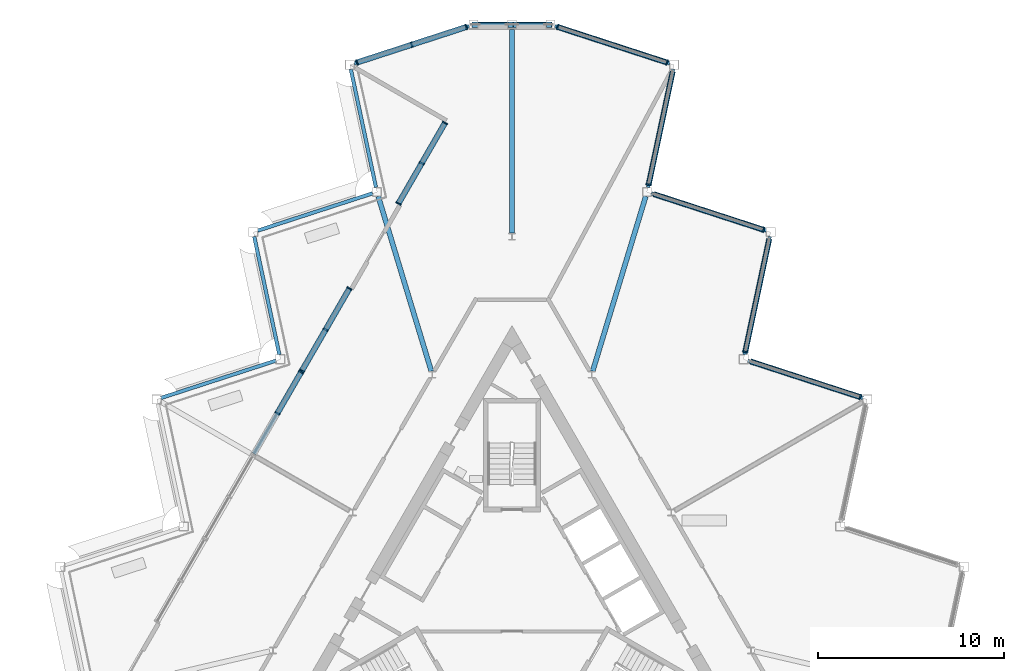
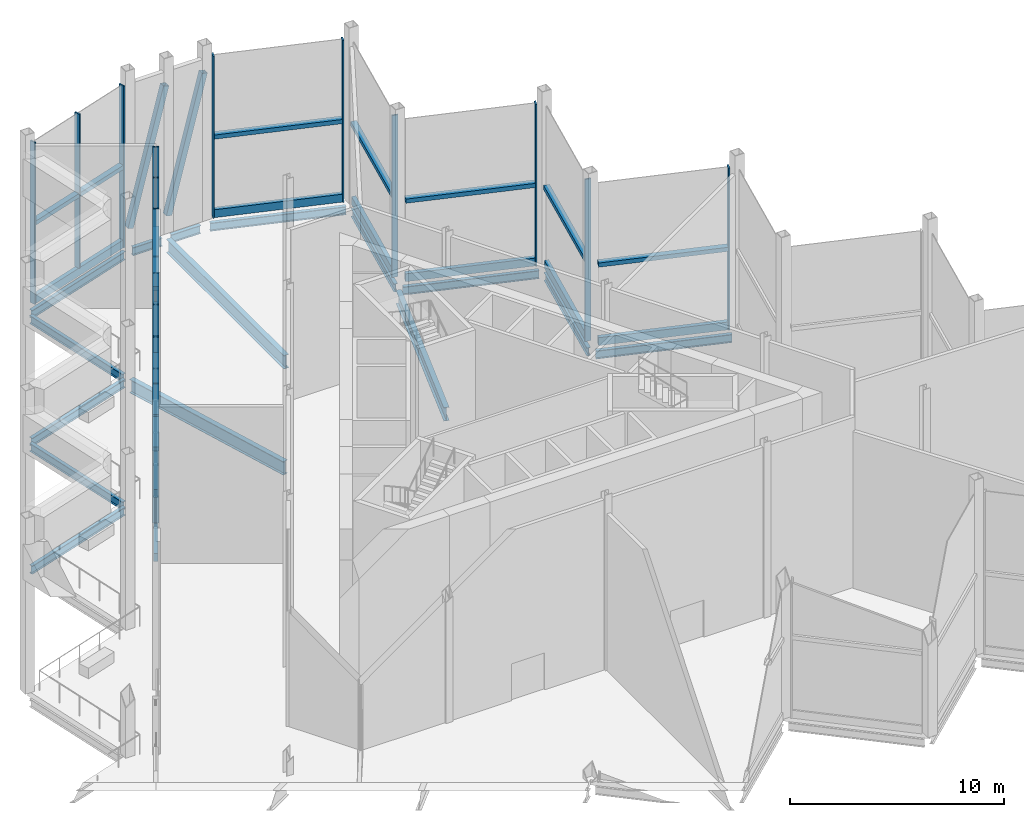
# One storey, part 6 of 18: 40 members, 15 beams, 5 elements without a shape of their own.
"""IFC4 building model written with IfcOpenShell, lengths in metres."""

from ifc_helpers import new_model, si_unit, direction, frame, origin, origin_2d, place, context, subcontext, project, spatial, rectangle, hollow_rectangle, i_section, extrude, material, layer, layer_set, material_profile, profile_set, type_object, element, aggregate, save


model = new_model("IFC4")

# Units and contexts
model_context = context("Model", 3, precision=1e-05, world=origin(), true_north=direction((0.0, 1.0)))
body_context = subcontext(model_context, "Body", "Model", "MODEL_VIEW")
ifc_project = project(units=[si_unit("LENGTHUNIT", "METRE"), si_unit("AREAUNIT", "SQUARE_METRE"), si_unit("VOLUMEUNIT", "CUBIC_METRE"), si_unit("PLANEANGLEUNIT", "RADIAN"), si_unit("MASSUNIT", "GRAM", prefix="KILO")], contexts=[model_context])

# Site, building, storey
site_placement = place(None, origin())
site = spatial("IfcSite", under=ifc_project, at=site_placement, CompositionType="ELEMENT")
building_placement = place(site_placement, origin())
building = spatial("IfcBuilding", under=site, at=building_placement, Name="Cormorant Prow Tower", CompositionType="ELEMENT")
storey_placement = place(building_placement, frame((0.0, 0.0, 405.199951171875)))
storey = spatial("IfcBuildingStorey", under=building, at=storey_placement, Name="L93", CompositionType="ELEMENT", Elevation=405.199951171875)

# Members
ifc_material_1 = material(Name="Structural steel ASTM A500 Gr C", Category="steel")
ifc_material_profile_1 = material_profile(ifc_material_1, hollow_rectangle(XDim=0.3046875, YDim=0.3046875, WallThickness=0.01171875, at=origin_2d()), Name="HSS12x12x1/2")
ifc_profile_set_1 = profile_set([ifc_material_profile_1], Name="Structural steel ASTM A500 Gr C")
member_type_1 = type_object("IfcMemberType", Name="Chamfer brace HSS12x12x1/2", PredefinedType="BRACE", material=ifc_profile_set_1)
for number, where, z_axis, x_axis, name in (
    (1, (0.074951171875, 31.219482421875, 0.890625), (0.249939412576, 0.0, 0.968261478136), (0.0, 1.0, 0.0), "Chamfer brace BR3 at N00 L93"),
    (2, (-1.998779296875, 31.219482421875, 0.890625), (0.249939412576, 0.0, 0.968261478136), (0.0, 1.0, 0.0), "Chamfer brace BR3 at N01 L93"),
):
    element("IfcMember", number, at=place(storey_placement, frame(where, z_axis=z_axis, x_axis=x_axis)), inside=storey, type_object=member_type_1, Name=name, PredefinedType="BRACE", context=body_context, shape_type="SweptSolid", body=[
        extrude(hollow_rectangle(XDim=0.3046875, YDim=0.3046875, WallThickness=0.01171875, at=origin_2d()), origin(), (0.0, 0.0, 1.0), 7.697265625),
    ])

# Beams
ifc_material_2 = material(Name="Structural steel ASTM A992 Gr 50", Category="steel")
ifc_material_profile_2 = material_profile(ifc_material_2, i_section(OverallWidth=0.267822265625, OverallDepth=0.77001953125, WebThickness=0.015625, FlangeThickness=0.025390625, at=origin_2d()), Name="W30x132")
ifc_profile_set_2 = profile_set([ifc_material_profile_2], Name="Structural steel ASTM A992 Gr 50")
beam_type_1 = type_object("IfcBeamType", Name="Radial floor beam W30x132", PredefinedType="BEAM", material=ifc_profile_set_2)
beam_1_placement = place(storey_placement, frame((0.0, 19.998046875, -0.684814453125), z_axis=(0.0, 1.0, 0.0), x_axis=(-1.0, 0.0, 0.0)))
element("IfcBeam", 3, at=beam_1_placement, inside=storey, type_object=beam_type_1, Name="Radial floor beam FB3 1 L93", PredefinedType="BEAM", context=body_context, shape_type="SweptSolid", body=[
    extrude(i_section(OverallWidth=0.267822265625, OverallDepth=0.77001953125, WebThickness=0.015625, FlangeThickness=0.025390625, at=origin_2d()), origin(), (0.0, 0.0, 1.0), 10.971435546875),
])
for number, where, z_axis, x_axis, name in (
    (4, (-4.343505859375, 12.560791015625, -0.684814453125), (-0.290499864147, 0.956875033079, 0.0), (-0.956875033079, -0.290499864147, 0.0), "Radial floor beam FB3 2 L93"),
    (5, (4.343505859375, 12.560791015625, -0.684814453125), (0.290499864147, 0.956875033079, 0.0), (-0.956875033079, 0.290499864147, 0.0), "Radial floor beam FB3 12 L93"),
):
    element("IfcBeam", number, at=place(storey_placement, frame(where, z_axis=z_axis, x_axis=x_axis)), inside=storey, type_object=beam_type_1, Name=name, PredefinedType="BEAM", context=body_context, shape_type="SweptSolid", body=[
        extrude(i_section(OverallWidth=0.267822265625, OverallDepth=0.77001953125, WebThickness=0.015625, FlangeThickness=0.025390625, at=origin_2d()), origin(), (0.0, 0.0, 1.0), 9.837158203125),
    ])

# Curtain wall, members
ifc_material_3 = material(Name="Aluminium 6063-T6", Category="aluminium")
ifc_layer = layer(ifc_material_3, 0.300048828125)
ifc_layer_set = layer_set([ifc_layer], Name="Aluminium 6063-T6")
curtain_wall_type = type_object("IfcCurtainWallType", Name="Sky lobby unitised curtain wall 300", PredefinedType="NOTDEFINED", material=ifc_layer_set)
curtain_wall_1_placement = place(storey_placement, origin())
curtain_wall_1 = element("IfcCurtainWall", 6, at=curtain_wall_1_placement, inside=storey, type_object=curtain_wall_type, Name="Sky lobby curtain wall ENE00-ENE09", PredefinedType="NOTDEFINED")
ifc_material_4 = material(Name="Aluminium 6063-T6", Category="aluminium")
ifc_material_profile_3 = material_profile(ifc_material_4, rectangle(XDim=0.300048828125, YDim=0.239990234375, at=origin_2d()), Name="Sky lobby intermediate transom 300x240")
ifc_profile_set_3 = profile_set([ifc_material_profile_3], Name="Aluminium 6063-T6")
member_type_2 = type_object("IfcMemberType", Name="Sky lobby intermediate transom 300x240", PredefinedType="USERDEFINED", material=ifc_profile_set_3)
member_1_placement = place(storey_placement, frame((18.704345703125, 11.181640625, 4.616943359375), z_axis=(-0.951055821214, 0.309019133608, 0.0), x_axis=(-0.309019133608, -0.951055821214, 0.0)))
member_1 = element("IfcMember", 7, at=member_1_placement, type_object=member_type_2, Name="Sky lobby intermediate transom ENE00-ENE09", ObjectType="TRANSOM", PredefinedType="USERDEFINED", context=body_context, shape_type="SweptSolid", body=[
    extrude(rectangle(XDim=0.300048828125, YDim=0.239990234375, at=origin_2d()), origin(), (0.0, 0.0, 1.0), 6.185302734375),
])
member_2_placement = place(storey_placement, frame((12.566650390625, 13.642333984375, 4.616943359375), z_axis=(0.207889911796, 0.978152229754, 0.0), x_axis=(-0.978152229754, 0.207889911796, 0.0)))
member_2 = element("IfcMember", 8, at=member_2_placement, type_object=member_type_2, Name="Sky lobby intermediate transom ENE00-ENE09", ObjectType="TRANSOM", PredefinedType="USERDEFINED", context=body_context, shape_type="SweptSolid", body=[
    extrude(rectangle(XDim=0.300048828125, YDim=0.239990234375, at=origin_2d()), origin(), (0.0, 0.0, 1.0), 6.185546875),
])
member_3_placement = place(storey_placement, frame((13.50439453125, 20.1884765625, 4.616943359375), z_axis=(-0.951055821214, 0.309019133608, 0.0), x_axis=(-0.309019133608, -0.951055821214, 0.0)))
member_3 = element("IfcMember", 9, at=member_3_placement, type_object=member_type_2, Name="Sky lobby intermediate transom ENE00-ENE09", ObjectType="TRANSOM", PredefinedType="USERDEFINED", context=body_context, shape_type="SweptSolid", body=[
    extrude(rectangle(XDim=0.300048828125, YDim=0.239990234375, at=origin_2d()), origin(), (0.0, 0.0, 1.0), 6.185302734375),
])
member_4_placement = place(storey_placement, frame((7.366455078125, 22.649169921875, 4.616943359375), z_axis=(0.207935703595, 0.978142496352, 0.0), x_axis=(-0.978142496352, 0.207935703595, 0.0)))
member_4 = element("IfcMember", 10, at=member_4_placement, type_object=member_type_2, Name="Sky lobby intermediate transom ENE00-ENE09", ObjectType="TRANSOM", PredefinedType="USERDEFINED", context=body_context, shape_type="SweptSolid", body=[
    extrude(rectangle(XDim=0.300048828125, YDim=0.239990234375, at=origin_2d()), origin(), (0.0, 0.0, 1.0), 6.185302734375),
])
member_5_placement = place(storey_placement, frame((8.304443359375, 29.195068359375, 4.616943359375), z_axis=(-0.95105140547, 0.309032723436, 0.0), x_axis=(-0.309032723436, -0.95105140547, 0.0)))
member_5 = element("IfcMember", 11, at=member_5_placement, type_object=member_type_2, Name="Sky lobby intermediate transom ENE00-ENE09", ObjectType="TRANSOM", PredefinedType="USERDEFINED", context=body_context, shape_type="SweptSolid", body=[
    extrude(rectangle(XDim=0.300048828125, YDim=0.239990234375, at=origin_2d()), origin(), (0.0, 0.0, 1.0), 6.105224609375),
])

curtain_wall_2_placement = place(storey_placement, origin())
curtain_wall_2 = element("IfcCurtainWall", 12, at=curtain_wall_2_placement, inside=storey, type_object=curtain_wall_type, Name="Sky lobby curtain wall WNW00", PredefinedType="NOTDEFINED")
member_6_placement = place(storey_placement, frame((-2.498046875, 31.081787109375, 4.616943359375), z_axis=(-0.951038832749, -0.309071413438, 0.0), x_axis=(0.309071413438, -0.951038832749, 0.0)))
member_6 = element("IfcMember", 13, at=member_6_placement, type_object=member_type_2, Name="Sky lobby intermediate transom WNW00", ObjectType="TRANSOM", PredefinedType="USERDEFINED", context=body_context, shape_type="SweptSolid", body=[
    extrude(rectangle(XDim=0.300048828125, YDim=0.239990234375, at=origin_2d()), origin(), (0.0, 0.0, 1.0), 3.0126953125),
])
member_7_placement = place(storey_placement, frame((-5.439208984375, 30.1259765625, 4.616943359375), z_axis=(-0.951062650163, -0.308998115633, 0.0), x_axis=(0.308998115633, -0.951062650163, 0.0)))
member_7 = element("IfcMember", 14, at=member_7_placement, type_object=member_type_2, Name="Sky lobby intermediate transom WNW00", ObjectType="TRANSOM", PredefinedType="USERDEFINED", context=body_context, shape_type="SweptSolid", body=[
    extrude(rectangle(XDim=0.300048828125, YDim=0.239990234375, at=origin_2d()), origin(), (0.0, 0.0, 1.0), 3.0126953125),
])

curtain_wall_3_placement = place(storey_placement, origin())
curtain_wall_3 = element("IfcCurtainWall", 15, at=curtain_wall_3_placement, inside=storey, type_object=curtain_wall_type, Name="Sky lobby curtain wall loggia WNW01", PredefinedType="NOTDEFINED")
member_8_placement = place(storey_placement, frame((-3.62744140625, 25.892578125, 4.616943359375), z_axis=(-0.500047793048, -0.865997808697, 0.0), x_axis=(0.865997808697, -0.500047793048, 0.0)))
member_8 = element("IfcMember", 16, at=member_8_placement, type_object=member_type_2, Name="Sky lobby intermediate transom loggia WNW01", ObjectType="TRANSOM", PredefinedType="USERDEFINED", context=body_context, shape_type="SweptSolid", body=[
    extrude(rectangle(XDim=0.300048828125, YDim=0.239990234375, at=origin_2d()), origin(), (0.0, 0.0, 1.0), 2.425048828125),
])
member_9_placement = place(storey_placement, frame((-4.8798828125, 23.723388671875, 4.616943359375), z_axis=(-0.500047793048, -0.865997808697, 0.0), x_axis=(0.865997808697, -0.500047793048, 0.0)))
member_9 = element("IfcMember", 17, at=member_9_placement, type_object=member_type_2, Name="Sky lobby intermediate transom loggia WNW01", ObjectType="TRANSOM", PredefinedType="USERDEFINED", context=body_context, shape_type="SweptSolid", body=[
    extrude(rectangle(XDim=0.300048828125, YDim=0.239990234375, at=origin_2d()), origin(), (0.0, 0.0, 1.0), 2.425048828125),
])

curtain_wall_4_placement = place(storey_placement, origin())
curtain_wall_4 = element("IfcCurtainWall", 18, at=curtain_wall_4_placement, inside=storey, type_object=curtain_wall_type, Name="Sky lobby curtain wall loggia WNW03", PredefinedType="NOTDEFINED")
member_10_placement = place(storey_placement, frame((-8.7724609375, 16.981201171875, 4.616943359375), z_axis=(-0.50000366821, -0.866023285932, 0.0), x_axis=(0.866023285932, -0.50000366821, 0.0)))
member_10 = element("IfcMember", 19, at=member_10_placement, type_object=member_type_2, Name="Sky lobby intermediate transom loggia WNW03", ObjectType="TRANSOM", PredefinedType="USERDEFINED", context=body_context, shape_type="SweptSolid", body=[
    extrude(rectangle(XDim=0.300048828125, YDim=0.239990234375, at=origin_2d()), origin(), (0.0, 0.0, 1.0), 2.47998046875),
])
member_11_placement = place(storey_placement, frame((-10.052490234375, 14.76416015625, 4.616943359375), z_axis=(-0.50000366821, -0.866023285932, 0.0), x_axis=(0.866023285932, -0.50000366821, 0.0)))
member_11 = element("IfcMember", 20, at=member_11_placement, type_object=member_type_2, Name="Sky lobby intermediate transom loggia WNW03", ObjectType="TRANSOM", PredefinedType="USERDEFINED", context=body_context, shape_type="SweptSolid", body=[
    extrude(rectangle(XDim=0.300048828125, YDim=0.239990234375, at=origin_2d()), origin(), (0.0, 0.0, 1.0), 2.47998046875),
])

# Curtain wall, member
curtain_wall_5_placement = place(storey_placement, origin())
curtain_wall_5 = element("IfcCurtainWall", 21, at=curtain_wall_5_placement, inside=storey, type_object=curtain_wall_type, Name="Sky lobby curtain wall loggia WNW04", PredefinedType="NOTDEFINED")
member_12_placement = place(storey_placement, frame((-11.37255859375, 12.47802734375, 4.616943359375), z_axis=(-0.50000366821, -0.866023285932, 0.0), x_axis=(0.866023285932, -0.50000366821, 0.0)))
member_12 = element("IfcMember", 22, at=member_12_placement, type_object=member_type_2, Name="Sky lobby intermediate transom loggia WNW04", ObjectType="TRANSOM", PredefinedType="USERDEFINED", context=body_context, shape_type="SweptSolid", body=[
    extrude(rectangle(XDim=0.300048828125, YDim=0.239990234375, at=origin_2d()), origin(), (0.0, 0.0, 1.0), 2.47998046875),
])

# Member
ifc_material_5 = material(Name="Aluminium 6063-T6", Category="aluminium")
ifc_material_profile_4 = material_profile(ifc_material_5, rectangle(XDim=0.300048828125, YDim=0.080078125, at=origin_2d()), Name="Sky lobby mullion 80x300")
ifc_profile_set_4 = profile_set([ifc_material_profile_4], Name="Aluminium 6063-T6")
member_type_3 = type_object("IfcMemberType", Name="Sky lobby mullion 80x300", PredefinedType="MULLION", material=ifc_profile_set_4)
member_13_placement = place(storey_placement, frame((18.742431640625, 11.16943359375, 0.0), z_axis=(0.0, 0.0, 1.0), x_axis=(-0.309017066365, -0.951056492904, 0.0)))
member_13 = element("IfcMember", 23, at=member_13_placement, type_object=member_type_3, Name="Sky lobby mullion ENE00-ENE09", PredefinedType="MULLION", context=body_context, shape_type="SweptSolid", body=[
    extrude(rectangle(XDim=0.300048828125, YDim=0.080078125, at=origin_2d()), origin(), (0.0, 0.0, 1.0), 9.23388671875),
])

member_14_placement = place(storey_placement, frame((12.55810546875, 13.603271484375, 0.0), z_axis=(0.0, 0.0, 1.0), x_axis=(-0.978147615768, 0.207911620089, 0.0)))
member_14 = element("IfcMember", 24, at=member_14_placement, type_object=member_type_3, Name="Sky lobby mullion ENE00-ENE09", PredefinedType="MULLION", context=body_context, shape_type="SweptSolid", body=[
    extrude(rectangle(XDim=0.300048828125, YDim=0.080078125, at=origin_2d()), origin(), (0.0, 0.0, 1.0), 9.23388671875),
])

member_15_placement = place(storey_placement, frame((13.54248046875, 20.176025390625, 0.0), z_axis=(0.0, 0.0, 1.0), x_axis=(-0.309016937108, -0.951056534902, 0.0)))
member_15 = element("IfcMember", 25, at=member_15_placement, type_object=member_type_3, Name="Sky lobby mullion ENE00-ENE09", PredefinedType="MULLION", context=body_context, shape_type="SweptSolid", body=[
    extrude(rectangle(XDim=0.300048828125, YDim=0.080078125, at=origin_2d()), origin(), (0.0, 0.0, 1.0), 9.23388671875),
])

member_16_placement = place(storey_placement, frame((7.358154296875, 22.610107421875, 0.0), z_axis=(0.0, 0.0, 1.0), x_axis=(-0.978147615768, 0.207911620089, 0.0)))
member_16 = element("IfcMember", 26, at=member_16_placement, type_object=member_type_3, Name="Sky lobby mullion ENE00-ENE09", PredefinedType="MULLION", context=body_context, shape_type="SweptSolid", body=[
    extrude(rectangle(XDim=0.300048828125, YDim=0.080078125, at=origin_2d()), origin(), (0.0, 0.0, 1.0), 9.23388671875),
])

member_17_placement = place(storey_placement, frame((8.342529296875, 29.1826171875, 0.0), z_axis=(0.0, 0.0, 1.0), x_axis=(-0.309017066365, -0.951056492904, 0.0)))
member_17 = element("IfcMember", 27, at=member_17_placement, type_object=member_type_3, Name="Sky lobby mullion ENE00-ENE09", PredefinedType="MULLION", context=body_context, shape_type="SweptSolid", body=[
    extrude(rectangle(XDim=0.300048828125, YDim=0.080078125, at=origin_2d()), origin(), (0.0, 0.0, 1.0), 9.23388671875),
])

member_18_placement = place(storey_placement, frame((2.4599609375, 31.093994140625, 0.0), z_axis=(0.0, 0.0, 1.0), x_axis=(-0.309017066365, -0.951056492904, 0.0)))
member_18 = element("IfcMember", 28, at=member_18_placement, type_object=member_type_3, Name="Sky lobby mullion ENE00-ENE09", PredefinedType="MULLION", context=body_context, shape_type="SweptSolid", body=[
    extrude(rectangle(XDim=0.300048828125, YDim=0.080078125, at=origin_2d()), origin(), (0.0, 0.0, 1.0), 9.23388671875),
])

member_19_placement = place(storey_placement, frame((-2.4599609375, 31.093994140625, 0.0), z_axis=(0.0, 0.0, 1.0), x_axis=(0.309017066365, -0.951056492904, 0.0)))
member_19 = element("IfcMember", 29, at=member_19_placement, type_object=member_type_3, Name="Sky lobby mullion WNW00", PredefinedType="MULLION", context=body_context, shape_type="SweptSolid", body=[
    extrude(rectangle(XDim=0.300048828125, YDim=0.080078125, at=origin_2d()), origin(), (0.0, 0.0, 1.0), 9.23388671875),
])

member_20_placement = place(storey_placement, frame((-5.401123046875, 30.138427734375, 0.449951171875), z_axis=(0.0, 0.0, 1.0), x_axis=(0.309017066365, -0.951056492904, 0.0)))
member_20 = element("IfcMember", 30, at=member_20_placement, type_object=member_type_3, Name="Sky lobby mullion WNW00", PredefinedType="MULLION", context=body_context, shape_type="SweptSolid", body=[
    extrude(rectangle(XDim=0.300048828125, YDim=0.080078125, at=origin_2d()), origin(), (0.0, 0.0, 1.0), 8.783935546875),
])

member_21_placement = place(storey_placement, frame((-8.342529296875, 29.1826171875, 0.0), z_axis=(0.0, 0.0, 1.0), x_axis=(0.309017066365, -0.951056492904, 0.0)))
member_21 = element("IfcMember", 31, at=member_21_placement, type_object=member_type_3, Name="Sky lobby mullion WNW00", PredefinedType="MULLION", context=body_context, shape_type="SweptSolid", body=[
    extrude(rectangle(XDim=0.300048828125, YDim=0.080078125, at=origin_2d()), origin(), (0.0, 0.0, 1.0), 9.23388671875),
])

member_22_placement = place(storey_placement, frame((-3.607421875, 25.92724609375, 0.0), z_axis=(0.0, 0.0, 1.0), x_axis=(0.86602540861, -0.499999991641, 0.0)))
member_22 = element("IfcMember", 32, at=member_22_placement, type_object=member_type_3, Name="Sky lobby mullion loggia WNW01", PredefinedType="MULLION", context=body_context, shape_type="SweptSolid", body=[
    extrude(rectangle(XDim=0.300048828125, YDim=0.080078125, at=origin_2d()), origin(), (0.0, 0.0, 1.0), 9.23388671875),
])

member_23_placement = place(storey_placement, frame((-4.85986328125, 23.758056640625, 0.449951171875), z_axis=(0.0, 0.0, 1.0), x_axis=(0.86602540861, -0.499999991641, 0.0)))
member_23 = element("IfcMember", 33, at=member_23_placement, type_object=member_type_3, Name="Sky lobby mullion loggia WNW01", PredefinedType="MULLION", context=body_context, shape_type="SweptSolid", body=[
    extrude(rectangle(XDim=0.300048828125, YDim=0.080078125, at=origin_2d()), origin(), (0.0, 0.0, 1.0), 8.783935546875),
])

member_24_placement = place(storey_placement, frame((-6.112548828125, 21.588623046875, 0.0), z_axis=(0.0, 0.0, 1.0), x_axis=(0.86602540861, -0.499999991641, 0.0)))
member_24 = element("IfcMember", 34, at=member_24_placement, type_object=member_type_3, Name="Sky lobby mullion loggia WNW01", PredefinedType="MULLION", context=body_context, shape_type="SweptSolid", body=[
    extrude(rectangle(XDim=0.300048828125, YDim=0.080078125, at=origin_2d()), origin(), (0.0, 0.0, 1.0), 9.23388671875),
])

member_25_placement = place(storey_placement, frame((-8.75244140625, 17.015869140625, 0.0), z_axis=(0.0, 0.0, 1.0), x_axis=(0.86602540861, -0.499999991641, 0.0)))
member_25 = element("IfcMember", 35, at=member_25_placement, type_object=member_type_3, Name="Sky lobby mullion loggia WNW03", PredefinedType="MULLION", context=body_context, shape_type="SweptSolid", body=[
    extrude(rectangle(XDim=0.300048828125, YDim=0.080078125, at=origin_2d()), origin(), (0.0, 0.0, 1.0), 9.23388671875),
])

member_26_placement = place(storey_placement, frame((-10.032470703125, 14.798828125, 0.449951171875), z_axis=(0.0, 0.0, 1.0), x_axis=(0.86602540861, -0.499999991641, 0.0)))
member_26 = element("IfcMember", 36, at=member_26_placement, type_object=member_type_3, Name="Sky lobby mullion loggia WNW03", PredefinedType="MULLION", context=body_context, shape_type="SweptSolid", body=[
    extrude(rectangle(XDim=0.300048828125, YDim=0.080078125, at=origin_2d()), origin(), (0.0, 0.0, 1.0), 8.783935546875),
])

member_27_placement = place(storey_placement, frame((-11.3125, 12.581787109375, 0.0), z_axis=(0.0, 0.0, 1.0), x_axis=(0.86602540861, -0.499999991641, 0.0)))
member_27 = element("IfcMember", 37, at=member_27_placement, type_object=member_type_3, Name="Sky lobby mullion loggia WNW03", PredefinedType="MULLION", context=body_context, shape_type="SweptSolid", body=[
    extrude(rectangle(XDim=0.300048828125, YDim=0.080078125, at=origin_2d()), origin(), (0.0, 0.0, 1.0), 9.23388671875),
])

member_28_placement = place(storey_placement, frame((-11.3525390625, 12.5126953125, 0.0), z_axis=(0.0, 0.0, 1.0), x_axis=(0.86602540861, -0.499999991641, 0.0)))
member_28 = element("IfcMember", 38, at=member_28_placement, type_object=member_type_3, Name="Sky lobby mullion loggia WNW04", PredefinedType="MULLION", context=body_context, shape_type="SweptSolid", body=[
    extrude(rectangle(XDim=0.300048828125, YDim=0.080078125, at=origin_2d()), origin(), (0.0, 0.0, 1.0), 9.23388671875),
])

member_29_placement = place(storey_placement, frame((-12.632568359375, 10.295654296875, 0.449951171875), z_axis=(0.0, 0.0, 1.0), x_axis=(0.86602540861, -0.499999991641, 0.0)))
member_29 = element("IfcMember", 39, at=member_29_placement, type_object=member_type_3, Name="Sky lobby mullion loggia WNW04", PredefinedType="MULLION", context=body_context, shape_type="SweptSolid", body=[
    extrude(rectangle(XDim=0.300048828125, YDim=0.080078125, at=origin_2d()), origin(), (0.0, 0.0, 1.0), 8.783935546875),
])

ifc_material_6 = material(Name="Terracotta", Category="masonry")
ifc_material_profile_5 = material_profile(ifc_material_6, rectangle(XDim=0.219970703125, YDim=0.449951171875, at=origin_2d()), Name="Sky lobby terracotta spandrel rail 220x450")
ifc_profile_set_5 = profile_set([ifc_material_profile_5], Name="Terracotta")
member_type_4 = type_object("IfcMemberType", Name="Sky lobby terracotta spandrel rail 220x450", PredefinedType="USERDEFINED", material=ifc_profile_set_5)
member_30_placement = place(storey_placement, frame((18.704345703125, 11.181640625, 0.22509765625), z_axis=(-0.951055821214, 0.309019133608, 0.0), x_axis=(-0.309019133608, -0.951055821214, 0.0)))
member_30 = element("IfcMember", 40, at=member_30_placement, type_object=member_type_4, Name="Sky lobby spandrel rail ENE00-ENE09", ObjectType="TRANSOM", PredefinedType="USERDEFINED", context=body_context, shape_type="SweptSolid", body=[
    extrude(rectangle(XDim=0.219970703125, YDim=0.449951171875, at=origin_2d()), origin(), (0.0, 0.0, 1.0), 6.185302734375),
])

member_31_placement = place(storey_placement, frame((12.566650390625, 13.642333984375, 0.22509765625), z_axis=(0.207889911796, 0.978152229754, 0.0), x_axis=(-0.978152229754, 0.207889911796, 0.0)))
member_31 = element("IfcMember", 41, at=member_31_placement, type_object=member_type_4, Name="Sky lobby spandrel rail ENE00-ENE09", ObjectType="TRANSOM", PredefinedType="USERDEFINED", context=body_context, shape_type="SweptSolid", body=[
    extrude(rectangle(XDim=0.219970703125, YDim=0.449951171875, at=origin_2d()), origin(), (0.0, 0.0, 1.0), 6.185546875),
])

member_32_placement = place(storey_placement, frame((13.50439453125, 20.1884765625, 0.22509765625), z_axis=(-0.951055821214, 0.309019133608, 0.0), x_axis=(-0.309019133608, -0.951055821214, 0.0)))
member_32 = element("IfcMember", 42, at=member_32_placement, type_object=member_type_4, Name="Sky lobby spandrel rail ENE00-ENE09", ObjectType="TRANSOM", PredefinedType="USERDEFINED", context=body_context, shape_type="SweptSolid", body=[
    extrude(rectangle(XDim=0.219970703125, YDim=0.449951171875, at=origin_2d()), origin(), (0.0, 0.0, 1.0), 6.185302734375),
])

member_33_placement = place(storey_placement, frame((7.366455078125, 22.649169921875, 0.22509765625), z_axis=(0.207935703595, 0.978142496352, 0.0), x_axis=(-0.978142496352, 0.207935703595, 0.0)))
member_33 = element("IfcMember", 43, at=member_33_placement, type_object=member_type_4, Name="Sky lobby spandrel rail ENE00-ENE09", ObjectType="TRANSOM", PredefinedType="USERDEFINED", context=body_context, shape_type="SweptSolid", body=[
    extrude(rectangle(XDim=0.219970703125, YDim=0.449951171875, at=origin_2d()), origin(), (0.0, 0.0, 1.0), 6.185302734375),
])

member_34_placement = place(storey_placement, frame((8.304443359375, 29.195068359375, 0.22509765625), z_axis=(-0.95105140547, 0.309032723436, 0.0), x_axis=(-0.309032723436, -0.95105140547, 0.0)))
member_34 = element("IfcMember", 44, at=member_34_placement, type_object=member_type_4, Name="Sky lobby spandrel rail ENE00-ENE09", ObjectType="TRANSOM", PredefinedType="USERDEFINED", context=body_context, shape_type="SweptSolid", body=[
    extrude(rectangle(XDim=0.219970703125, YDim=0.449951171875, at=origin_2d()), origin(), (0.0, 0.0, 1.0), 6.105224609375),
])

aggregate(curtain_wall_1, [member_13, member_30, member_1, member_14, member_31, member_2, member_15, member_32, member_3, member_16, member_33, member_4, member_17, member_18, member_34, member_5])

member_35_placement = place(storey_placement, frame((-2.498046875, 31.081787109375, 0.22509765625), z_axis=(-0.95105140547, -0.309032723436, 0.0), x_axis=(0.309032723436, -0.95105140547, 0.0)))
member_35 = element("IfcMember", 45, at=member_35_placement, type_object=member_type_4, Name="Sky lobby spandrel rail WNW00", ObjectType="TRANSOM", PredefinedType="USERDEFINED", context=body_context, shape_type="SweptSolid", body=[
    extrude(rectangle(XDim=0.219970703125, YDim=0.449951171875, at=origin_2d()), origin(), (0.0, 0.0, 1.0), 6.105224609375),
])

aggregate(curtain_wall_2, [member_19, member_20, member_21, member_35, member_6, member_7])

member_36_placement = place(storey_placement, frame((-3.62744140625, 25.892578125, 0.22509765625), z_axis=(-0.500032530337, -0.866006621571, 0.0), x_axis=(0.866006621571, -0.500032530337, 0.0)))
member_36 = element("IfcMember", 46, at=member_36_placement, type_object=member_type_4, Name="Sky lobby spandrel rail loggia WNW01", ObjectType="TRANSOM", PredefinedType="USERDEFINED", context=body_context, shape_type="SweptSolid", body=[
    extrude(rectangle(XDim=0.219970703125, YDim=0.449951171875, at=origin_2d()), origin(), (0.0, 0.0, 1.0), 4.929931640625),
])

aggregate(curtain_wall_3, [member_22, member_23, member_24, member_36, member_8, member_9])

member_37_placement = place(storey_placement, frame((-8.7724609375, 16.981201171875, 0.22509765625), z_axis=(-0.500004791531, -0.866022637375, 0.0), x_axis=(0.866022637375, -0.500004791531, 0.0)))
member_37 = element("IfcMember", 47, at=member_37_placement, type_object=member_type_4, Name="Sky lobby spandrel rail loggia WNW03", ObjectType="TRANSOM", PredefinedType="USERDEFINED", context=body_context, shape_type="SweptSolid", body=[
    extrude(rectangle(XDim=0.219970703125, YDim=0.449951171875, at=origin_2d()), origin(), (0.0, 0.0, 1.0), 5.0400390625),
])

aggregate(curtain_wall_4, [member_25, member_26, member_27, member_37, member_10, member_11])

member_38_placement = place(storey_placement, frame((-11.37255859375, 12.47802734375, 0.22509765625), z_axis=(-0.500004791531, -0.866022637375, 0.0), x_axis=(0.866022637375, -0.500004791531, 0.0)))
member_38 = element("IfcMember", 48, at=member_38_placement, type_object=member_type_4, Name="Sky lobby spandrel rail loggia WNW04", ObjectType="TRANSOM", PredefinedType="USERDEFINED", context=body_context, shape_type="SweptSolid", body=[
    extrude(rectangle(XDim=0.219970703125, YDim=0.449951171875, at=origin_2d()), origin(), (0.0, 0.0, 1.0), 5.0400390625),
])

aggregate(curtain_wall_5, [member_28, member_29, member_38, member_12])

# Beams
ifc_material_7 = material(Name="Structural steel ASTM A992 Gr 50", Category="steel")
ifc_material_profile_6 = material_profile(ifc_material_7, i_section(OverallWidth=0.19287109375, OverallDepth=0.466064453125, WebThickness=0.011474609375, FlangeThickness=0.01904296875, at=origin_2d()), Name="W18x65")
ifc_profile_set_6 = profile_set([ifc_material_profile_6], Name="Structural steel ASTM A992 Gr 50")
beam_type_2 = type_object("IfcBeamType", Name="Spandrel beam W18x65", PredefinedType="SPANDREL", material=ifc_profile_set_6)
beam_2_placement = place(storey_placement, frame((18.890869140625, 11.12109375, -0.532958984375), z_axis=(-0.951053396625, 0.309026595569, 0.0), x_axis=(-0.309026595569, -0.951053396625, 0.0)))
element("IfcBeam", 49, at=beam_2_placement, inside=storey, type_object=beam_type_2, Name="Spandrel beam SB4 ENE05-ENE06 L93", PredefinedType="SPANDREL", context=body_context, shape_type="SweptSolid", body=[
    extrude(i_section(OverallWidth=0.19287109375, OverallDepth=0.466064453125, WebThickness=0.011474609375, FlangeThickness=0.01904296875, at=origin_2d()), origin(), (0.0, 0.0, 1.0), 6.497314453125),
])
beam_3_placement = place(storey_placement, frame((12.52587890625, 13.45068359375, -0.532958984375), z_axis=(0.207901897373, 0.978149682344, 0.0), x_axis=(-0.978149682344, 0.207901897373, 0.0)))
element("IfcBeam", 50, at=beam_3_placement, inside=storey, type_object=beam_type_2, Name="Spandrel beam SB4 ENE06-ENE07 L93", PredefinedType="SPANDREL", context=body_context, shape_type="SweptSolid", body=[
    extrude(i_section(OverallWidth=0.19287109375, OverallDepth=0.466064453125, WebThickness=0.011474609375, FlangeThickness=0.01904296875, at=origin_2d()), origin(), (0.0, 0.0, 1.0), 6.49755859375),
])
beam_4_placement = place(storey_placement, frame((13.69091796875, 20.1279296875, -0.532958984375), z_axis=(-0.951068027308, 0.308981564875, 0.0), x_axis=(-0.308981564875, -0.951068027308, 0.0)))
element("IfcBeam", 51, at=beam_4_placement, inside=storey, type_object=beam_type_2, Name="Spandrel beam SB4 ENE07-ENE08 L93", PredefinedType="SPANDREL", context=body_context, shape_type="SweptSolid", body=[
    extrude(i_section(OverallWidth=0.19287109375, OverallDepth=0.466064453125, WebThickness=0.011474609375, FlangeThickness=0.01904296875, at=origin_2d()), origin(), (0.0, 0.0, 1.0), 6.497314453125),
])
for number, where, z_axis, x_axis, name in (
    (52, (7.32568359375, 22.457275390625, -0.532958984375), (0.20793784774, 0.978142040543, 0.0), (-0.978142040543, 0.20793784774, 0.0), "Spandrel beam SB4 ENE08-ENE09 L93"),
    (53, (8.490966796875, 29.134521484375, -0.532958984375), (-0.951056984862, 0.30901555227, 0.0), (-0.30901555227, -0.951056984862, 0.0), "Spandrel beam SB4 ENE09-N00 L93"),
):
    element("IfcBeam", number, at=place(storey_placement, frame(where, z_axis=z_axis, x_axis=x_axis)), inside=storey, type_object=beam_type_2, Name=name, PredefinedType="SPANDREL", context=body_context, shape_type="SweptSolid", body=[
        extrude(i_section(OverallWidth=0.19287109375, OverallDepth=0.466064453125, WebThickness=0.011474609375, FlangeThickness=0.01904296875, at=origin_2d()), origin(), (0.0, 0.0, 1.0), 6.49755859375),
    ])
for number, where, z_axis, x_axis, name in (
    (54, (1.82373046875, 31.219482421875, -0.532958984375), (-1.0, 0.0, 0.0), (0.0, -1.0, 0.0), "Spandrel beam SB4 N00-N01 L93"),
    (55, (-0.25, 31.219482421875, -0.532958984375), (-1.0, 0.0, 0.0), (0.0, -1.0, 0.0), "Spandrel beam SB4 N01-WNW00 L93"),
):
    element("IfcBeam", number, at=place(storey_placement, frame(where, z_axis=z_axis, x_axis=x_axis)), inside=storey, type_object=beam_type_2, Name=name, PredefinedType="SPANDREL", context=body_context, shape_type="SweptSolid", body=[
        extrude(i_section(OverallWidth=0.19287109375, OverallDepth=0.466064453125, WebThickness=0.011474609375, FlangeThickness=0.01904296875, at=origin_2d()), origin(), (0.0, 0.0, 1.0), 1.57373046875),
    ])
for number, where, z_axis, x_axis, name in (
    (56, (-2.3115234375, 31.142333984375, -0.532958984375), (-0.951056984862, -0.30901555227, 0.0), (0.30901555227, -0.951056984862, 0.0), "Spandrel beam SB4 WNW00-WNW01 L93"),
    (57, (-8.6767578125, 28.812744140625, -0.532958984375), (0.20793784774, -0.978142040543, 0.0), (0.978142040543, 0.20793784774, 0.0), "Spandrel beam SB4 WNW01-WNW02 L93"),
):
    element("IfcBeam", number, at=place(storey_placement, frame(where, z_axis=z_axis, x_axis=x_axis)), inside=storey, type_object=beam_type_2, Name=name, PredefinedType="SPANDREL", context=body_context, shape_type="SweptSolid", body=[
        extrude(i_section(OverallWidth=0.19287109375, OverallDepth=0.466064453125, WebThickness=0.011474609375, FlangeThickness=0.01904296875, at=origin_2d()), origin(), (0.0, 0.0, 1.0), 6.49755859375),
    ])
beam_5_placement = place(storey_placement, frame((-7.511474609375, 22.135498046875, -0.532958984375), z_axis=(-0.951068027308, -0.308981564875, 0.0), x_axis=(0.308981564875, -0.951068027308, 0.0)))
element("IfcBeam", 58, at=beam_5_placement, inside=storey, type_object=beam_type_2, Name="Spandrel beam SB4 WNW02-WNW03 L93", PredefinedType="SPANDREL", context=body_context, shape_type="SweptSolid", body=[
    extrude(i_section(OverallWidth=0.19287109375, OverallDepth=0.466064453125, WebThickness=0.011474609375, FlangeThickness=0.01904296875, at=origin_2d()), origin(), (0.0, 0.0, 1.0), 6.497314453125),
])
beam_6_placement = place(storey_placement, frame((-13.876708984375, 19.80615234375, -0.532958984375), z_axis=(0.207901897373, -0.978149682344, 0.0), x_axis=(0.978149682344, 0.207901897373, 0.0)))
element("IfcBeam", 59, at=beam_6_placement, inside=storey, type_object=beam_type_2, Name="Spandrel beam SB4 WNW03-WNW04 L93", PredefinedType="SPANDREL", context=body_context, shape_type="SweptSolid", body=[
    extrude(i_section(OverallWidth=0.19287109375, OverallDepth=0.466064453125, WebThickness=0.011474609375, FlangeThickness=0.01904296875, at=origin_2d()), origin(), (0.0, 0.0, 1.0), 6.49755859375),
])
beam_7_placement = place(storey_placement, frame((-12.711669921875, 13.12890625, -0.532958984375), z_axis=(-0.951053396625, -0.309026595569, 0.0), x_axis=(0.309026595569, -0.951053396625, 0.0)))
element("IfcBeam", 60, at=beam_7_placement, inside=storey, type_object=beam_type_2, Name="Spandrel beam SB4 WNW04-WNW05 L93", PredefinedType="SPANDREL", context=body_context, shape_type="SweptSolid", body=[
    extrude(i_section(OverallWidth=0.19287109375, OverallDepth=0.466064453125, WebThickness=0.011474609375, FlangeThickness=0.01904296875, at=origin_2d()), origin(), (0.0, 0.0, 1.0), 6.497314453125),
])

save(model, "model.ifc")
